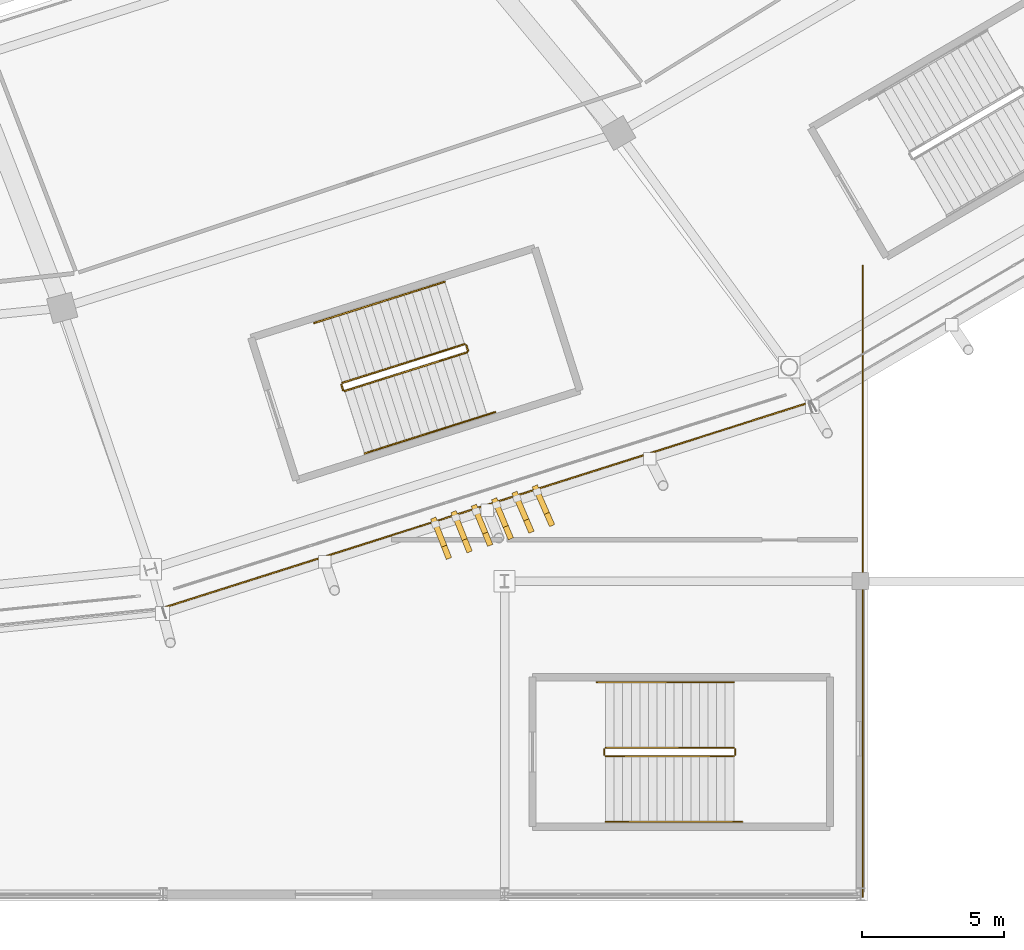
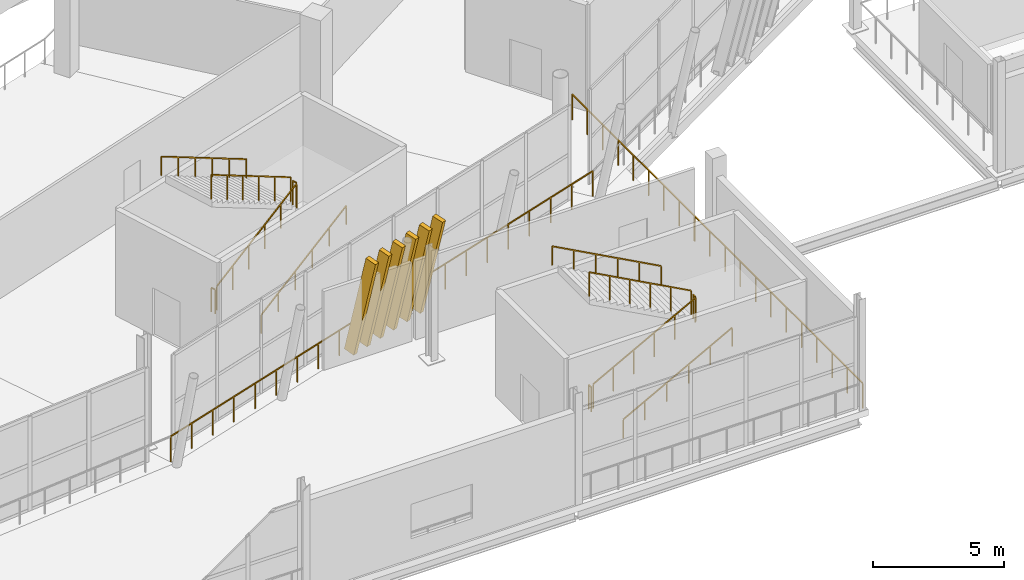
# One storey, part 159 of 178: 14 railings, 6 shading devices.
"""IFC4 building model written with IfcOpenShell, lengths in metres."""

from ifc_helpers import new_model, si_unit, direction, frame, origin, origin_2d, place, context, subcontext, project, spatial, rectangle, extrude, material, material_profile, profile_set, type_object, element, save


model = new_model("IFC4")

# Units and contexts
model_context = context("Model", 3, precision=1e-05, world=origin(), true_north=direction((0.0, 1.0)))
body_context = subcontext(model_context, "Body", "Model", "MODEL_VIEW")
ifc_project = project(units=[si_unit("LENGTHUNIT", "METRE"), si_unit("AREAUNIT", "SQUARE_METRE"), si_unit("VOLUMEUNIT", "CUBIC_METRE"), si_unit("PLANEANGLEUNIT", "RADIAN"), si_unit("MASSUNIT", "GRAM", prefix="KILO")], contexts=[model_context])

# Site, building, storey
site_placement = place(None, origin())
site = spatial("IfcSite", under=ifc_project, at=site_placement, CompositionType="ELEMENT")
building_placement = place(site_placement, origin())
building = spatial("IfcBuilding", under=site, at=building_placement, Name="Zlatoyarsky Gate Stadium", CompositionType="ELEMENT")
storey_placement = place(building_placement, frame((0.0, 0.0, 5.39990234375)))
storey = spatial("IfcBuildingStorey", under=building, at=storey_placement, Name="L01", CompositionType="ELEMENT", Elevation=5.39990234375)

# Railings
ifc_material_1 = material(Name="Powder-coated steel tubular guardrail", Category="steel")
railing_type_1 = type_object("IfcRailingType", Name="CONCOURSE SLAB EDGE GUARDRAIL 1200", PredefinedType="GUARDRAIL", material=ifc_material_1)
railing_1_placement = place(storey_placement, frame((135.43994140625, 10.039306640625, 0.0)))
element("IfcRailing", 1, at=railing_1_placement, inside=storey, type_object=railing_type_1, Name="L01 outer slab edge guardrail 19", PredefinedType="GUARDRAIL", context=body_context, shape_type="SweptSolid", body=[
    extrude(rectangle(XDim=0.048095703125, YDim=0.048095703125, at=origin_2d()), frame((0.0, 0.0, 1.17578125), z_axis=(0.953052496014, 0.302805118584, 0.0), x_axis=(-0.302805118584, 0.953052496014, 0.0)), (0.0, 0.0, 1.0), 23.89599609375),
    extrude(rectangle(XDim=0.0419921875, YDim=0.0419921875, at=origin_2d()), origin(), (0.0, 0.0, 1.0), 1.15185546875),
    extrude(rectangle(XDim=0.0419921875, YDim=0.0419921875, at=origin_2d()), frame((1.138671875, 0.36181640625, 0.0)), (0.0, 0.0, 1.0), 1.15185546875),
    extrude(rectangle(XDim=0.0419921875, YDim=0.0419921875, at=origin_2d()), frame((2.27734375, 0.7236328125, 0.0)), (0.0, 0.0, 1.0), 1.15185546875),
    extrude(rectangle(XDim=0.0419921875, YDim=0.0419921875, at=origin_2d()), frame((3.416015625, 1.08544921875, 0.0)), (0.0, 0.0, 1.0), 1.15185546875),
    extrude(rectangle(XDim=0.0419921875, YDim=0.0419921875, at=origin_2d()), frame((4.554931640625, 1.447265625, 0.0)), (0.0, 0.0, 1.0), 1.15185546875),
    extrude(rectangle(XDim=0.0419921875, YDim=0.0419921875, at=origin_2d()), frame((5.693603515625, 1.80908203125, 0.0)), (0.0, 0.0, 1.0), 1.15185546875),
    extrude(rectangle(XDim=0.0419921875, YDim=0.0419921875, at=origin_2d()), frame((6.832275390625, 2.170654296875, 0.0)), (0.0, 0.0, 1.0), 1.15185546875),
    extrude(rectangle(XDim=0.0419921875, YDim=0.0419921875, at=origin_2d()), frame((7.970947265625, 2.532470703125, 0.0)), (0.0, 0.0, 1.0), 1.15185546875),
    extrude(rectangle(XDim=0.0419921875, YDim=0.0419921875, at=origin_2d()), frame((9.109619140625, 2.894287109375, 0.0)), (0.0, 0.0, 1.0), 1.15185546875),
    extrude(rectangle(XDim=0.0419921875, YDim=0.0419921875, at=origin_2d()), frame((10.248291015625, 3.256103515625, 0.0)), (0.0, 0.0, 1.0), 1.15185546875),
    extrude(rectangle(XDim=0.0419921875, YDim=0.0419921875, at=origin_2d()), frame((11.38720703125, 3.617919921875, 0.0)), (0.0, 0.0, 1.0), 1.15185546875),
    extrude(rectangle(XDim=0.0419921875, YDim=0.0419921875, at=origin_2d()), frame((12.52587890625, 3.979736328125, 0.0)), (0.0, 0.0, 1.0), 1.15185546875),
    extrude(rectangle(XDim=0.0419921875, YDim=0.0419921875, at=origin_2d()), frame((13.66455078125, 4.341552734375, 0.0)), (0.0, 0.0, 1.0), 1.15185546875),
    extrude(rectangle(XDim=0.0419921875, YDim=0.0419921875, at=origin_2d()), frame((14.80322265625, 4.703369140625, 0.0)), (0.0, 0.0, 1.0), 1.15185546875),
    extrude(rectangle(XDim=0.0419921875, YDim=0.0419921875, at=origin_2d()), frame((15.94189453125, 5.065185546875, 0.0)), (0.0, 0.0, 1.0), 1.15185546875),
    extrude(rectangle(XDim=0.0419921875, YDim=0.0419921875, at=origin_2d()), frame((17.08056640625, 5.4267578125, 0.0)), (0.0, 0.0, 1.0), 1.15185546875),
    extrude(rectangle(XDim=0.0419921875, YDim=0.0419921875, at=origin_2d()), frame((18.21923828125, 5.78857421875, 0.0)), (0.0, 0.0, 1.0), 1.15185546875),
    extrude(rectangle(XDim=0.0419921875, YDim=0.0419921875, at=origin_2d()), frame((19.358154296875, 6.150390625, 0.0)), (0.0, 0.0, 1.0), 1.15185546875),
    extrude(rectangle(XDim=0.0419921875, YDim=0.0419921875, at=origin_2d()), frame((20.496826171875, 6.51220703125, 0.0)), (0.0, 0.0, 1.0), 1.15185546875),
    extrude(rectangle(XDim=0.0419921875, YDim=0.0419921875, at=origin_2d()), frame((21.635498046875, 6.8740234375, 0.0)), (0.0, 0.0, 1.0), 1.15185546875),
    extrude(rectangle(XDim=0.0419921875, YDim=0.0419921875, at=origin_2d()), frame((22.774169921875, 7.23583984375, 0.0)), (0.0, 0.0, 1.0), 1.15185546875),
])
railing_2_placement = place(storey_placement, frame((160.080078125, -0.080078125, 0.0)))
element("IfcRailing", 2, at=railing_2_placement, inside=storey, type_object=railing_type_1, Name="V3_SOUTH L01 E slab edge guardrail", PredefinedType="GUARDRAIL", context=body_context, shape_type="SweptSolid", body=[
    extrude(rectangle(XDim=0.048095703125, YDim=0.048095703125, at=origin_2d()), frame((0.0, 0.0, 1.17578125), z_axis=(0.0, 1.0, 0.0), x_axis=(-1.0, 0.0, 0.0)), (0.0, 0.0, 1.0), 22.16015625),
    extrude(rectangle(XDim=0.0419921875, YDim=0.0419921875, at=origin_2d()), origin(), (0.0, 0.0, 1.0), 1.15185546875),
    extrude(rectangle(XDim=0.0419921875, YDim=0.0419921875, at=origin_2d()), frame((0.0, 1.166259765625, 0.0)), (0.0, 0.0, 1.0), 1.15185546875),
    extrude(rectangle(XDim=0.0419921875, YDim=0.0419921875, at=origin_2d()), frame((0.0, 2.332763671875, 0.0)), (0.0, 0.0, 1.0), 1.15185546875),
    extrude(rectangle(XDim=0.0419921875, YDim=0.0419921875, at=origin_2d()), frame((0.0, 3.4990234375, 0.0)), (0.0, 0.0, 1.0), 1.15185546875),
    extrude(rectangle(XDim=0.0419921875, YDim=0.0419921875, at=origin_2d()), frame((0.0, 4.665283203125, 0.0)), (0.0, 0.0, 1.0), 1.15185546875),
    extrude(rectangle(XDim=0.0419921875, YDim=0.0419921875, at=origin_2d()), frame((0.0, 5.83154296875, 0.0)), (0.0, 0.0, 1.0), 1.15185546875),
    extrude(rectangle(XDim=0.0419921875, YDim=0.0419921875, at=origin_2d()), frame((0.0, 6.998046875, 0.0)), (0.0, 0.0, 1.0), 1.15185546875),
    extrude(rectangle(XDim=0.0419921875, YDim=0.0419921875, at=origin_2d()), frame((0.0, 8.164306640625, 0.0)), (0.0, 0.0, 1.0), 1.15185546875),
    extrude(rectangle(XDim=0.0419921875, YDim=0.0419921875, at=origin_2d()), frame((0.0, 9.33056640625, 0.0)), (0.0, 0.0, 1.0), 1.15185546875),
    extrude(rectangle(XDim=0.0419921875, YDim=0.0419921875, at=origin_2d()), frame((0.0, 10.496826171875, 0.0)), (0.0, 0.0, 1.0), 1.15185546875),
    extrude(rectangle(XDim=0.0419921875, YDim=0.0419921875, at=origin_2d()), frame((0.0, 11.663330078125, 0.0)), (0.0, 0.0, 1.0), 1.15185546875),
    extrude(rectangle(XDim=0.0419921875, YDim=0.0419921875, at=origin_2d()), frame((0.0, 12.82958984375, 0.0)), (0.0, 0.0, 1.0), 1.15185546875),
    extrude(rectangle(XDim=0.0419921875, YDim=0.0419921875, at=origin_2d()), frame((0.0, 13.995849609375, 0.0)), (0.0, 0.0, 1.0), 1.15185546875),
    extrude(rectangle(XDim=0.0419921875, YDim=0.0419921875, at=origin_2d()), frame((0.0, 15.162109375, 0.0)), (0.0, 0.0, 1.0), 1.15185546875),
    extrude(rectangle(XDim=0.0419921875, YDim=0.0419921875, at=origin_2d()), frame((0.0, 16.32861328125, 0.0)), (0.0, 0.0, 1.0), 1.15185546875),
    extrude(rectangle(XDim=0.0419921875, YDim=0.0419921875, at=origin_2d()), frame((0.0, 17.494873046875, 0.0)), (0.0, 0.0, 1.0), 1.15185546875),
    extrude(rectangle(XDim=0.0419921875, YDim=0.0419921875, at=origin_2d()), frame((0.0, 18.6611328125, 0.0)), (0.0, 0.0, 1.0), 1.15185546875),
    extrude(rectangle(XDim=0.0419921875, YDim=0.0419921875, at=origin_2d()), frame((0.0, 19.827392578125, 0.0)), (0.0, 0.0, 1.0), 1.15185546875),
    extrude(rectangle(XDim=0.0419921875, YDim=0.0419921875, at=origin_2d()), frame((0.0, 20.993896484375, 0.0)), (0.0, 0.0, 1.0), 1.15185546875),
    extrude(rectangle(XDim=0.0419921875, YDim=0.0419921875, at=origin_2d()), frame((0.0, 22.16015625, 0.0)), (0.0, 0.0, 1.0), 1.15185546875),
])
ifc_material_2 = material(Name="Powder-coated steel stair guardrail", Category="steel")
railing_type_2 = type_object("IfcRailingType", Name="PAINTED STEEL STAIR WELL GUARDRAIL 1150", PredefinedType="GUARDRAIL", material=ifc_material_2)
railing_3_placement = place(storey_placement, frame((141.891357421875, 17.678466796875, 0.16259765625)))
element("IfcRailing", 3, at=railing_3_placement, inside=storey, type_object=railing_type_2, Name="ST-16 L01 stair guard 1", PredefinedType="GUARDRAIL", context=body_context, shape_type="SweptSolid", body=[
    extrude(rectangle(XDim=0.048095703125, YDim=0.048095703125, at=origin_2d()), frame((0.0, 0.0, 1.1259765625), z_axis=(0.838387862461, 0.265087985872, 0.476271090686), x_axis=(-0.301476673217, 0.953473552599, 0.0)), (0.0, 0.0, 1.0), 5.117919921875),
    extrude(rectangle(XDim=0.0419921875, YDim=0.0419921875, at=origin_2d()), origin(), (0.0, 0.0, 1.0), 1.101806640625),
    extrude(rectangle(XDim=0.0419921875, YDim=0.0419921875, at=origin_2d()), frame((0.858154296875, 0.271240234375, 0.487548828125)), (0.0, 0.0, 1.0), 1.101806640625),
    extrude(rectangle(XDim=0.0419921875, YDim=0.0419921875, at=origin_2d()), frame((1.71630859375, 0.542724609375, 0.97509765625)), (0.0, 0.0, 1.0), 1.101806640625),
    extrude(rectangle(XDim=0.0419921875, YDim=0.0419921875, at=origin_2d()), frame((2.574462890625, 0.81396484375, 1.46240234375)), (0.0, 0.0, 1.0), 1.101806640625),
    extrude(rectangle(XDim=0.0419921875, YDim=0.0419921875, at=origin_2d()), frame((3.4326171875, 1.08544921875, 1.949951171875)), (0.0, 0.0, 1.0), 1.101806640625),
    extrude(rectangle(XDim=0.0419921875, YDim=0.0419921875, at=origin_2d()), frame((4.290771484375, 1.356689453125, 2.4375)), (0.0, 0.0, 1.0), 1.101806640625),
])
railing_4_placement = place(storey_placement, frame((146.214599609375, 19.097900390625, 2.60009765625)))
element("IfcRailing", 4, at=railing_4_placement, inside=storey, type_object=railing_type_2, Name="ST-16 L01 stair guard 2", PredefinedType="GUARDRAIL", context=body_context, shape_type="SweptSolid", body=[
    extrude(rectangle(XDim=0.048095703125, YDim=0.048095703125, at=origin_2d()), frame((0.0, 0.0, 1.1259765625), z_axis=(-0.301540327315, 0.953453423615, 0.0), x_axis=(-0.953453423615, -0.301540327315, 0.0)), (0.0, 0.0, 1.0), 0.199951171875),
    extrude(rectangle(XDim=0.0419921875, YDim=0.0419921875, at=origin_2d()), origin(), (0.0, 0.0, 1.0), 1.101806640625),
    extrude(rectangle(XDim=0.0419921875, YDim=0.0419921875, at=origin_2d()), frame((-0.060302734375, 0.190673828125, 0.0)), (0.0, 0.0, 1.0), 1.101806640625),
])
railing_5_placement = place(storey_placement, frame((146.091552734375, 19.3212890625, 2.7626953125)))
element("IfcRailing", 5, at=railing_5_placement, inside=storey, type_object=railing_type_2, Name="ST-16 L01 stair guard 3", PredefinedType="GUARDRAIL", context=body_context, shape_type="SweptSolid", body=[
    extrude(rectangle(XDim=0.048095703125, YDim=0.048095703125, at=origin_2d()), frame((0.0, 0.0, 1.1259765625), z_axis=(-0.838363085299, -0.26514294003, 0.476284115376), x_axis=(0.301541590324, -0.953453024173, 0.0)), (0.0, 0.0, 1.0), 5.11767578125),
    extrude(rectangle(XDim=0.0419921875, YDim=0.0419921875, at=origin_2d()), origin(), (0.0, 0.0, 1.0), 1.101806640625),
    extrude(rectangle(XDim=0.0419921875, YDim=0.0419921875, at=origin_2d()), frame((-0.858154296875, -0.271484375, 0.487548828125)), (0.0, 0.0, 1.0), 1.101806640625),
    extrude(rectangle(XDim=0.0419921875, YDim=0.0419921875, at=origin_2d()), frame((-1.71630859375, -0.542724609375, 0.97509765625)), (0.0, 0.0, 1.0), 1.101806640625),
    extrude(rectangle(XDim=0.0419921875, YDim=0.0419921875, at=origin_2d()), frame((-2.57421875, -0.814208984375, 1.46240234375)), (0.0, 0.0, 1.0), 1.101806640625),
    extrude(rectangle(XDim=0.0419921875, YDim=0.0419921875, at=origin_2d()), frame((-3.432373046875, -1.08544921875, 1.949951171875)), (0.0, 0.0, 1.0), 1.101806640625),
    extrude(rectangle(XDim=0.0419921875, YDim=0.0419921875, at=origin_2d()), frame((-4.29052734375, -1.35693359375, 2.4375)), (0.0, 0.0, 1.0), 1.101806640625),
])
railing_6_placement = place(storey_placement, frame((141.82861328125, 17.7109375, 0.0)))
element("IfcRailing", 6, at=railing_6_placement, inside=storey, type_object=railing_type_2, Name="ST-16 L01 stair guard 4", PredefinedType="GUARDRAIL", context=body_context, shape_type="SweptSolid", body=[
    extrude(rectangle(XDim=0.048095703125, YDim=0.048095703125, at=origin_2d()), frame((0.0, 0.0, 1.1259765625), z_axis=(-0.301540327315, 0.953453423615, 0.0), x_axis=(-0.953453423615, -0.301540327315, 0.0)), (0.0, 0.0, 1.0), 0.199951171875),
    extrude(rectangle(XDim=0.0419921875, YDim=0.0419921875, at=origin_2d()), origin(), (0.0, 0.0, 1.0), 1.101806640625),
    extrude(rectangle(XDim=0.0419921875, YDim=0.0419921875, at=origin_2d()), frame((-0.060302734375, 0.190673828125, 0.0)), (0.0, 0.0, 1.0), 1.101806640625),
])
railing_7_placement = place(storey_placement, frame((151.050048828125, 4.85009765625, 0.16259765625)))
element("IfcRailing", 7, at=railing_7_placement, inside=storey, type_object=railing_type_2, Name="ST-30 L01 stair guard 1", PredefinedType="GUARDRAIL", context=body_context, shape_type="SweptSolid", body=[
    extrude(rectangle(XDim=0.048095703125, YDim=0.048095703125, at=origin_2d()), frame((0.0, 0.0, 1.1259765625), z_axis=(0.879291966537, 0.0, 0.476283148541), x_axis=(0.0, 1.0, 0.0)), (0.0, 0.0, 1.0), 5.11767578125),
    extrude(rectangle(XDim=0.0419921875, YDim=0.0419921875, at=origin_2d()), origin(), (0.0, 0.0, 1.0), 1.101806640625),
    extrude(rectangle(XDim=0.0419921875, YDim=0.0419921875, at=origin_2d()), frame((0.89990234375, 0.0, 0.487548828125)), (0.0, 0.0, 1.0), 1.101806640625),
    extrude(rectangle(XDim=0.0419921875, YDim=0.0419921875, at=origin_2d()), frame((1.800048828125, 0.0, 0.97509765625)), (0.0, 0.0, 1.0), 1.101806640625),
    extrude(rectangle(XDim=0.0419921875, YDim=0.0419921875, at=origin_2d()), frame((2.699951171875, 0.0, 1.46240234375)), (0.0, 0.0, 1.0), 1.101806640625),
    extrude(rectangle(XDim=0.0419921875, YDim=0.0419921875, at=origin_2d()), frame((3.60009765625, 0.0, 1.949951171875)), (0.0, 0.0, 1.0), 1.101806640625),
    extrude(rectangle(XDim=0.0419921875, YDim=0.0419921875, at=origin_2d()), frame((4.5, 0.0, 2.4375)), (0.0, 0.0, 1.0), 1.101806640625),
])
railing_8_placement = place(storey_placement, frame((155.60009765625, 4.89990234375, 2.60009765625)))
element("IfcRailing", 8, at=railing_8_placement, inside=storey, type_object=railing_type_2, Name="ST-30 L01 stair guard 2", PredefinedType="GUARDRAIL", context=body_context, shape_type="SweptSolid", body=[
    extrude(rectangle(XDim=0.048095703125, YDim=0.048095703125, at=origin_2d()), frame((0.0, 0.0, 1.1259765625), z_axis=(0.0, 1.0, 0.0), x_axis=(-1.0, 0.0, 0.0)), (0.0, 0.0, 1.0), 0.2001953125),
    extrude(rectangle(XDim=0.0419921875, YDim=0.0419921875, at=origin_2d()), origin(), (0.0, 0.0, 1.0), 1.101806640625),
    extrude(rectangle(XDim=0.0419921875, YDim=0.0419921875, at=origin_2d()), frame((0.0, 0.2001953125, 0.0)), (0.0, 0.0, 1.0), 1.101806640625),
])
railing_9_placement = place(storey_placement, frame((155.550048828125, 5.14990234375, 2.7626953125)))
element("IfcRailing", 9, at=railing_9_placement, inside=storey, type_object=railing_type_2, Name="ST-30 L01 stair guard 3", PredefinedType="GUARDRAIL", context=body_context, shape_type="SweptSolid", body=[
    extrude(rectangle(XDim=0.048095703125, YDim=0.048095703125, at=origin_2d()), frame((0.0, 0.0, 1.1259765625), z_axis=(-0.879291966537, 0.0, 0.476283148541), x_axis=(0.0, -1.0, 0.0)), (0.0, 0.0, 1.0), 5.11767578125),
    extrude(rectangle(XDim=0.0419921875, YDim=0.0419921875, at=origin_2d()), origin(), (0.0, 0.0, 1.0), 1.101806640625),
    extrude(rectangle(XDim=0.0419921875, YDim=0.0419921875, at=origin_2d()), frame((-0.89990234375, 0.0, 0.487548828125)), (0.0, 0.0, 1.0), 1.101806640625),
    extrude(rectangle(XDim=0.0419921875, YDim=0.0419921875, at=origin_2d()), frame((-1.800048828125, 0.0, 0.97509765625)), (0.0, 0.0, 1.0), 1.101806640625),
    extrude(rectangle(XDim=0.0419921875, YDim=0.0419921875, at=origin_2d()), frame((-2.699951171875, 0.0, 1.46240234375)), (0.0, 0.0, 1.0), 1.101806640625),
    extrude(rectangle(XDim=0.0419921875, YDim=0.0419921875, at=origin_2d()), frame((-3.60009765625, 0.0, 1.949951171875)), (0.0, 0.0, 1.0), 1.101806640625),
    extrude(rectangle(XDim=0.0419921875, YDim=0.0419921875, at=origin_2d()), frame((-4.5, 0.0, 2.4375)), (0.0, 0.0, 1.0), 1.101806640625),
])
railing_10_placement = place(storey_placement, frame((151.0, 4.89990234375, 0.0)))
element("IfcRailing", 10, at=railing_10_placement, inside=storey, type_object=railing_type_2, Name="ST-30 L01 stair guard 4", PredefinedType="GUARDRAIL", context=body_context, shape_type="SweptSolid", body=[
    extrude(rectangle(XDim=0.048095703125, YDim=0.048095703125, at=origin_2d()), frame((0.0, 0.0, 1.1259765625), z_axis=(0.0, 1.0, 0.0), x_axis=(-1.0, 0.0, 0.0)), (0.0, 0.0, 1.0), 0.2001953125),
    extrude(rectangle(XDim=0.0419921875, YDim=0.0419921875, at=origin_2d()), origin(), (0.0, 0.0, 1.0), 1.101806640625),
    extrude(rectangle(XDim=0.0419921875, YDim=0.0419921875, at=origin_2d()), frame((0.0, 0.2001953125, 0.0)), (0.0, 0.0, 1.0), 1.101806640625),
])

# Shading devices
ifc_material_3 = material(Name="Precast concrete C40/50 stone-toned architectural rib", Category="masonry")
ifc_material_profile = material_profile(ifc_material_3, rectangle(XDim=0.199951171875, YDim=0.47998046875, at=origin_2d()), Name="RIB 200X480")
ifc_profile_set = profile_set([ifc_material_profile], Name="Precast concrete C40/50 stone-toned architectural rib")
shading_device_type = type_object("IfcShadingDeviceType", Name="PRECAST FLUTED GATE LOUVRE BLADE 200X480", PredefinedType="SHUTTER", material=ifc_profile_set)
for number, where, z_axis, x_axis, name in (
    (11, (145.078125, 12.997802734375, -0.010009765625), (0.080186566557, -0.205503516702, 0.975365787367), (0.93159286034, 0.363503428545, 0.0), "Leaning bowl louvre fin L01-19-1"),
    (12, (145.79296875, 13.224853515625, -0.010009765625), (0.081866425579, -0.204793264733, 0.975375623585), (0.928556220344, 0.37119179094, 0.0), "Leaning bowl louvre fin L01-19-2"),
    (13, (146.5078125, 13.4521484375, -0.010009765625), (0.083545172937, -0.204131080283, 0.975372085997), (0.92548815227, 0.378776556836, 0.0), "Leaning bowl louvre fin L01-19-3"),
    (14, (147.222412109375, 13.67919921875, -0.010009765625), (0.085224512749, -0.203419463862, 0.975375468294), (0.92232437715, 0.386416541202, 0.0), "Leaning bowl louvre fin L01-19-4"),
    (15, (147.937255859375, 13.906494140625, -0.010009765625), (0.086902678707, -0.202755957053, 0.975365544969), (0.919133099517, 0.393947135251, 0.0), "Leaning bowl louvre fin L01-19-5"),
    (16, (148.652099609375, 14.133544921875, -0.010009765625), (0.08858234327, -0.201994200333, 0.97537249884), (0.915807560248, 0.40161737088, 0.0), "Leaning bowl louvre fin L01-19-6"),
):
    element("IfcShadingDevice", number, at=place(storey_placement, frame(where, z_axis=z_axis, x_axis=x_axis)), inside=storey, type_object=shading_device_type, Name=name, PredefinedType="SHUTTER", context=body_context, shape_type="SweptSolid", body=[
        extrude(rectangle(XDim=0.199951171875, YDim=0.47998046875, at=origin_2d()), origin(), (0.0, 0.0, 1.0), 4.79833984375),
    ])

# Railings
ifc_material_4 = material(Name="Brushed stainless steel 316 handrail", Category="steel")
railing_type_3 = type_object("IfcRailingType", Name="STAINLESS STEEL TUBULAR HANDRAIL 900", PredefinedType="HANDRAIL", material=ifc_material_4)
railing_11_placement = place(storey_placement, frame((142.5849609375, 15.4853515625, 0.16650390625)))
element("IfcRailing", 17, at=railing_11_placement, inside=storey, type_object=railing_type_3, Name="ST-16 L01 stair handrail 1", PredefinedType="HANDRAIL", context=body_context, shape_type="SweptSolid", body=[
    extrude(rectangle(XDim=0.048095703125, YDim=0.048095703125, at=origin_2d()), frame((0.0, 0.0, 0.8759765625), z_axis=(0.838366559486, 0.265114529213, 0.476293815135), x_axis=(-0.301511080938, 0.953462672616, 0.0)), (0.0, 0.0, 1.0), 5.458984375),
    extrude(rectangle(XDim=0.0419921875, YDim=0.0419921875, at=origin_2d()), origin(), (0.0, 0.0, 1.0), 0.851806640625),
    extrude(rectangle(XDim=0.0419921875, YDim=0.0419921875, at=origin_2d()), frame((0.915283203125, 0.28955078125, 0.52001953125)), (0.0, 0.0, 1.0), 0.851806640625),
    extrude(rectangle(XDim=0.0419921875, YDim=0.0419921875, at=origin_2d()), frame((1.83056640625, 0.578857421875, 1.0400390625)), (0.0, 0.0, 1.0), 0.851806640625),
    extrude(rectangle(XDim=0.0419921875, YDim=0.0419921875, at=origin_2d()), frame((2.74609375, 0.868408203125, 1.56005859375)), (0.0, 0.0, 1.0), 0.851806640625),
    extrude(rectangle(XDim=0.0419921875, YDim=0.0419921875, at=origin_2d()), frame((3.661376953125, 1.15771484375, 2.080078125)), (0.0, 0.0, 1.0), 0.851806640625),
    extrude(rectangle(XDim=0.0419921875, YDim=0.0419921875, at=origin_2d()), frame((4.57666015625, 1.447265625, 2.60009765625)), (0.0, 0.0, 1.0), 0.851806640625),
])
railing_12_placement = place(storey_placement, frame((145.398193359375, 21.51416015625, 2.7666015625)))
element("IfcRailing", 18, at=railing_12_placement, inside=storey, type_object=railing_type_3, Name="ST-16 L01 stair handrail 2", PredefinedType="HANDRAIL", context=body_context, shape_type="SweptSolid", body=[
    extrude(rectangle(XDim=0.048095703125, YDim=0.048095703125, at=origin_2d()), frame((0.0, 0.0, 0.8759765625), z_axis=(-0.838366559486, -0.265114529213, 0.476293815135), x_axis=(0.301511080938, -0.953462672616, 0.0)), (0.0, 0.0, 1.0), 5.458984375),
    extrude(rectangle(XDim=0.0419921875, YDim=0.0419921875, at=origin_2d()), origin(), (0.0, 0.0, 1.0), 0.851806640625),
    extrude(rectangle(XDim=0.0419921875, YDim=0.0419921875, at=origin_2d()), frame((-0.915283203125, -0.28955078125, 0.52001953125)), (0.0, 0.0, 1.0), 0.851806640625),
    extrude(rectangle(XDim=0.0419921875, YDim=0.0419921875, at=origin_2d()), frame((-1.83056640625, -0.578857421875, 1.0400390625)), (0.0, 0.0, 1.0), 0.851806640625),
    extrude(rectangle(XDim=0.0419921875, YDim=0.0419921875, at=origin_2d()), frame((-2.74609375, -0.868408203125, 1.56005859375)), (0.0, 0.0, 1.0), 0.851806640625),
    extrude(rectangle(XDim=0.0419921875, YDim=0.0419921875, at=origin_2d()), frame((-3.661376953125, -1.15771484375, 2.080078125)), (0.0, 0.0, 1.0), 0.851806640625),
    extrude(rectangle(XDim=0.0419921875, YDim=0.0419921875, at=origin_2d()), frame((-4.57666015625, -1.447265625, 2.60009765625)), (0.0, 0.0, 1.0), 0.851806640625),
])
railing_13_placement = place(storey_placement, frame((151.050048828125, 2.550048828125, 0.16650390625)))
element("IfcRailing", 19, at=railing_13_placement, inside=storey, type_object=railing_type_3, Name="ST-30 L01 stair handrail 1", PredefinedType="HANDRAIL", context=body_context, shape_type="SweptSolid", body=[
    extrude(rectangle(XDim=0.048095703125, YDim=0.048095703125, at=origin_2d()), frame((0.0, 0.0, 0.8759765625), z_axis=(0.879286503747, 0.0, 0.476293233554), x_axis=(0.0, 1.0, 0.0)), (0.0, 0.0, 1.0), 5.458984375),
    extrude(rectangle(XDim=0.0419921875, YDim=0.0419921875, at=origin_2d()), origin(), (0.0, 0.0, 1.0), 0.851806640625),
    extrude(rectangle(XDim=0.0419921875, YDim=0.0419921875, at=origin_2d()), frame((0.9599609375, 0.0, 0.52001953125)), (0.0, 0.0, 1.0), 0.851806640625),
    extrude(rectangle(XDim=0.0419921875, YDim=0.0419921875, at=origin_2d()), frame((1.919921875, 0.0, 1.0400390625)), (0.0, 0.0, 1.0), 0.851806640625),
    extrude(rectangle(XDim=0.0419921875, YDim=0.0419921875, at=origin_2d()), frame((2.880126953125, 0.0, 1.56005859375)), (0.0, 0.0, 1.0), 0.851806640625),
    extrude(rectangle(XDim=0.0419921875, YDim=0.0419921875, at=origin_2d()), frame((3.840087890625, 0.0, 2.080078125)), (0.0, 0.0, 1.0), 0.851806640625),
    extrude(rectangle(XDim=0.0419921875, YDim=0.0419921875, at=origin_2d()), frame((4.800048828125, 0.0, 2.60009765625)), (0.0, 0.0, 1.0), 0.851806640625),
])
railing_14_placement = place(storey_placement, frame((155.550048828125, 7.449951171875, 2.7666015625)))
element("IfcRailing", 20, at=railing_14_placement, inside=storey, type_object=railing_type_3, Name="ST-30 L01 stair handrail 2", PredefinedType="HANDRAIL", context=body_context, shape_type="SweptSolid", body=[
    extrude(rectangle(XDim=0.048095703125, YDim=0.048095703125, at=origin_2d()), frame((0.0, 0.0, 0.8759765625), z_axis=(-0.879286503747, 0.0, 0.476293233554), x_axis=(0.0, -1.0, 0.0)), (0.0, 0.0, 1.0), 5.458984375),
    extrude(rectangle(XDim=0.0419921875, YDim=0.0419921875, at=origin_2d()), origin(), (0.0, 0.0, 1.0), 0.851806640625),
    extrude(rectangle(XDim=0.0419921875, YDim=0.0419921875, at=origin_2d()), frame((-0.9599609375, 0.0, 0.52001953125)), (0.0, 0.0, 1.0), 0.851806640625),
    extrude(rectangle(XDim=0.0419921875, YDim=0.0419921875, at=origin_2d()), frame((-1.919921875, 0.0, 1.0400390625)), (0.0, 0.0, 1.0), 0.851806640625),
    extrude(rectangle(XDim=0.0419921875, YDim=0.0419921875, at=origin_2d()), frame((-2.880126953125, 0.0, 1.56005859375)), (0.0, 0.0, 1.0), 0.851806640625),
    extrude(rectangle(XDim=0.0419921875, YDim=0.0419921875, at=origin_2d()), frame((-3.840087890625, 0.0, 2.080078125)), (0.0, 0.0, 1.0), 0.851806640625),
    extrude(rectangle(XDim=0.0419921875, YDim=0.0419921875, at=origin_2d()), frame((-4.800048828125, 0.0, 2.60009765625)), (0.0, 0.0, 1.0), 0.851806640625),
])

save(model, "model.ifc")
